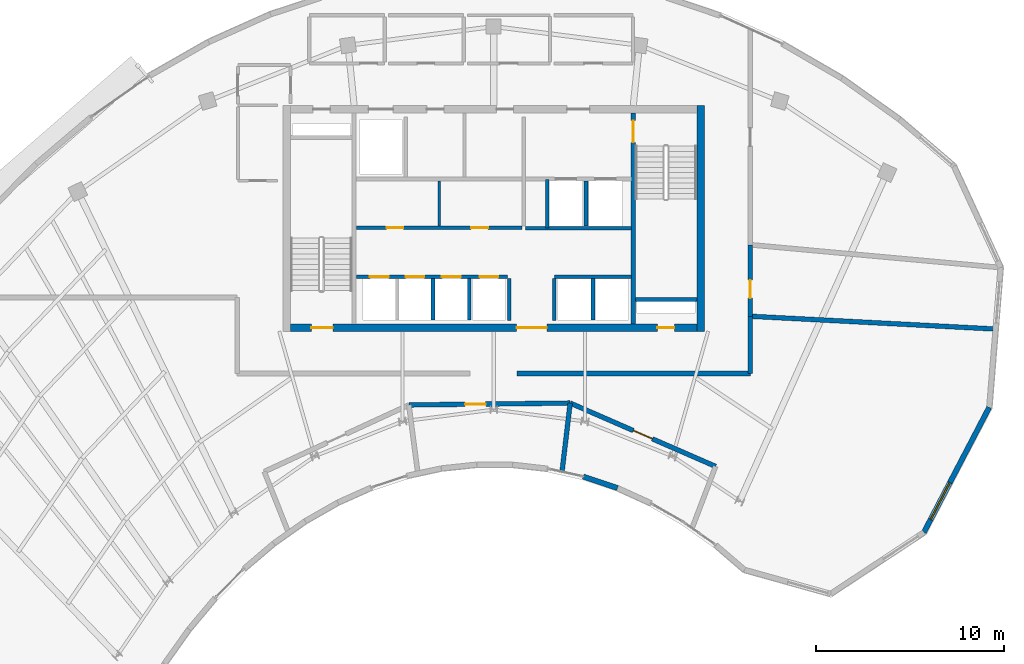
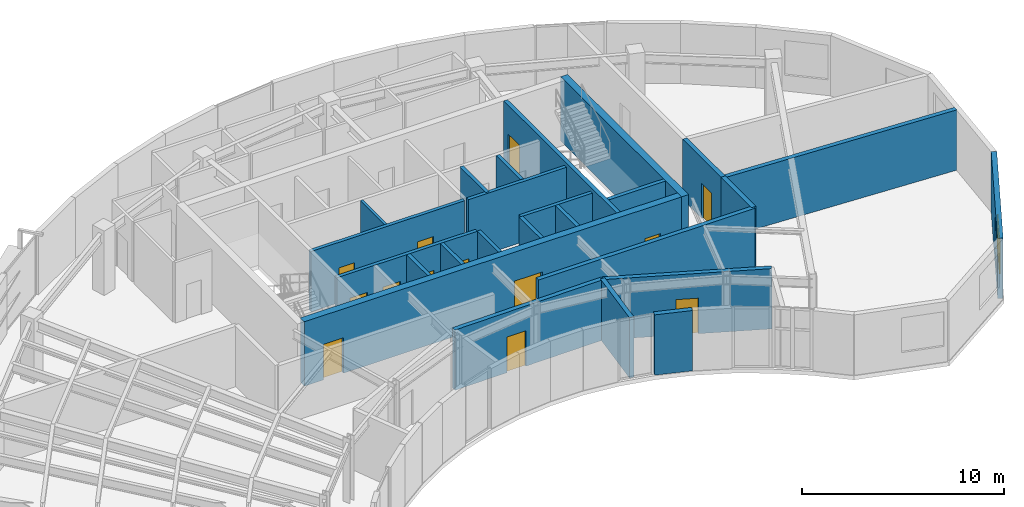
# One storey, part 9 of 12: 25 walls, 13 doors, 1 window, 14 openings.
"""IFC4 building model written with IfcOpenShell, lengths in metres."""

import ifcopenshell
import ifcopenshell.guid

model = None  # the IFC model being written
_history = None  # IfcOwnerHistory: only IFC2X3 demands one
_inside = {}  # id of a spatial element -> (the spatial element, [elements in it])
_under = {}  # id of a project, library or spatial element -> (it, [spatial elements below it])
_declared = {}  # id of a project -> (the project, [libraries it declares])
_typed = {}  # id of a type object -> (the type object, [elements of that type])
_made_of = {}  # id of a material, layer set ... -> (it, [elements and type objects made of it])


def new_model(schema):
    """Start an empty IFC model of exactly this schema.

    Asked for "IFC4X3", IfcOpenShell would pick the latest addendum, in which some entities
    have other attributes; the version numbers below select the first issue.
    IFC2X3 requires an IfcOwnerHistory on every rooted entity: one is made here for all.
    """
    global model, _history
    if schema == "IFC4X3":
        model = ifcopenshell.file(schema_version=(4, 3, 0, 0))
    else:
        model = ifcopenshell.file(schema=schema)
    _inside.clear()
    _under.clear()
    _declared.clear()
    _typed.clear()
    _made_of.clear()
    _history = None
    if model.schema == "IFC2X3":
        org = make("IfcOrganization", Name="unknown")
        user = make(
            "IfcPersonAndOrganization",
            ThePerson=make("IfcPerson", FamilyName="unknown"),
            TheOrganization=org,
        )
        app = make(
            "IfcApplication",
            ApplicationDeveloper=org,
            Version="unknown",
            ApplicationFullName="unknown",
            ApplicationIdentifier="unknown",
        )
        _history = make(
            "IfcOwnerHistory",
            OwningUser=user,
            OwningApplication=app,
            ChangeAction="ADDED",
            CreationDate=0,
        )
    return model


def make(cls, **values):
    """One entity of the class cls with the attributes given. An attribute that is None is left unset."""
    return model.create_entity(
        cls, **{name: value for name, value in values.items() if value is not None}
    )


def rooted(cls, **values):
    """An entity with a GlobalId (a new one), such as an element, a storey or a relation."""
    return make(cls, GlobalId=ifcopenshell.guid.new(), OwnerHistory=_history, **values)


def si_unit(unit_type, name, prefix=None):
    """IfcSIUnit, for example si_unit("LENGTHUNIT", "METRE", prefix="MILLI")."""
    return make("IfcSIUnit", UnitType=unit_type, Prefix=prefix, Name=name)


def assignment(units):
    """IfcUnitAssignment: the units of a project."""
    return None if units is None else make("IfcUnitAssignment", Units=units)


def point(xyz):
    """IfcCartesianPoint."""
    return None if xyz is None else make("IfcCartesianPoint", Coordinates=xyz)


def direction(xyz):
    """IfcDirection."""
    return None if xyz is None else make("IfcDirection", DirectionRatios=xyz)


def frame(location, z_axis=None, x_axis=None):
    """IfcAxis2Placement3D, a coordinate frame: its origin and axes. An axis left out is left unset."""
    return make(
        "IfcAxis2Placement3D",
        Location=point(location),
        Axis=direction(z_axis),
        RefDirection=direction(x_axis),
    )


def frame_2d(location, x_axis=None):
    """IfcAxis2Placement2D, a coordinate frame in the plane: its origin and x axis."""
    return make(
        "IfcAxis2Placement2D", Location=point(location), RefDirection=direction(x_axis)
    )


def origin():
    """The frame at (0, 0, 0) with its axes left unset."""
    return frame((0.0, 0.0, 0.0))


def place(relative_to, where):
    """IfcLocalPlacement: puts the frame where relative to a parent placement (None: the world)."""
    return make(
        "IfcLocalPlacement", PlacementRelTo=relative_to, RelativePlacement=where
    )


def context(
    kind, dimensions, precision=None, world=None, true_north=None, identifier=None
):
    """IfcGeometricRepresentationContext, for example the 3D "Model" context."""
    return make(
        "IfcGeometricRepresentationContext",
        ContextIdentifier=identifier,
        ContextType=kind,
        CoordinateSpaceDimension=dimensions,
        Precision=precision,
        WorldCoordinateSystem=world,
        TrueNorth=true_north,
    )


def subcontext(parent, identifier, kind, view, scale=None):
    """IfcGeometricRepresentationSubContext, for example "Body" below "Model"."""
    return make(
        "IfcGeometricRepresentationSubContext",
        ContextIdentifier=identifier,
        ContextType=kind,
        ParentContext=parent,
        TargetScale=scale,
        TargetView=view,
    )


def project(units=None, contexts=None):
    """IfcProject with its units and contexts."""
    return rooted(
        "IfcProject",
        Name="project",
        RepresentationContexts=contexts,
        UnitsInContext=assignment(units),
    )


def spatial(cls, under=None, at=None, **own):
    """A site, building, storey or space (cls), placed at a placement, below another one or the project."""
    s = rooted(cls, ObjectPlacement=at, **own)
    if under is not None:
        _under.setdefault(under.id(), (under, []))[1].append(s)
    return s


def profile(cls, at=None, kind="AREA", **sizes):
    """A parametric profile (cls). Its sizes go by their IFC names, for example OverallWidth=200.0."""
    return make(cls, ProfileType=kind, Position=at, **sizes)


def rectangle(**sizes):
    """IfcRectangleProfileDef."""
    return profile("IfcRectangleProfileDef", **sizes)


def extrude(swept, where, along, depth):
    """IfcExtrudedAreaSolid: the profile swept, set in the frame where, extruded along a direction by depth."""
    return make(
        "IfcExtrudedAreaSolid",
        SweptArea=swept,
        Position=where,
        ExtrudedDirection=direction(along),
        Depth=depth,
    )


def shape(context_of_items, identifier, shape_type, items):
    """IfcShapeRepresentation: the items that make up one representation, for example the "Body"."""
    return make(
        "IfcShapeRepresentation",
        ContextOfItems=context_of_items,
        RepresentationIdentifier=identifier,
        RepresentationType=shape_type,
        Items=items,
    )


def source(mapping_origin, context_of_items, identifier, shape_type, items):
    """IfcRepresentationMap: a shape defined once, which mapped items show again and again."""
    return make(
        "IfcRepresentationMap",
        MappingOrigin=mapping_origin,
        MappedRepresentation=shape(context_of_items, identifier, shape_type, items),
    )


def transform(
    local_origin,
    x_axis=None,
    y_axis=None,
    z_axis=None,
    scale=None,
    scale2=None,
    scale3=None,
    uniform=True,
):
    """IfcCartesianTransformationOperator3D, or its non-uniform kind. x_axis, y_axis, z_axis: its Axis1, 2, 3."""
    if uniform:
        return make(
            "IfcCartesianTransformationOperator3D",
            Axis1=direction(x_axis),
            Axis2=direction(y_axis),
            LocalOrigin=point(local_origin),
            Scale=scale,
            Axis3=direction(z_axis),
        )
    return make(
        "IfcCartesianTransformationOperator3DnonUniform",
        Axis1=direction(x_axis),
        Axis2=direction(y_axis),
        LocalOrigin=point(local_origin),
        Scale=scale,
        Axis3=direction(z_axis),
        Scale2=scale2,
        Scale3=scale3,
    )


def mapped(mapping_source, mapping_target):
    """IfcMappedItem: shows the shape of a source again, moved by a transform."""
    return make(
        "IfcMappedItem", MappingSource=mapping_source, MappingTarget=mapping_target
    )


def material(Name=None, Category=None):
    """IfcMaterial."""
    return make("IfcMaterial", Name=Name, Category=Category)


def layer(
    of_material, thickness, ventilated=None, Name=None, Category=None, Priority=None
):
    """IfcMaterialLayer: one layer of a wall or slab, of a material (None: an air gap)."""
    return make(
        "IfcMaterialLayer",
        Material=of_material,
        LayerThickness=thickness,
        IsVentilated=ventilated,
        Name=Name,
        Category=Category,
        Priority=Priority,
    )


def layer_set(layers, Name=None):
    """IfcMaterialLayerSet."""
    return make("IfcMaterialLayerSet", MaterialLayers=layers, LayerSetName=Name)


def made_of(thing, what):
    """Note that an element or type object is made of a material, layer set ...; save() writes the relation."""
    if what is not None:
        _made_of.setdefault(what.id(), (what, []))[1].append(thing)
    return thing


def type_object(cls, material=None, **own):
    """A type object (cls), such as IfcWallType, which elements share."""
    return made_of(rooted(cls, **own), material)


def type_shapes(of_type, sources):
    """Give a type object the sources (RepresentationMaps) that its elements show as mapped items."""
    of_type.RepresentationMaps = sources


def element(
    cls,
    number,
    at=None,
    inside=None,
    cuts=None,
    type_object=None,
    material=None,
    context=None,
    identifier="Body",
    shape_type=None,
    held_by="IfcProductDefinitionShape",
    body=None,
    shapes=None,
    **own,
):
    """One element of the class cls, such as IfcWall. Its Tag is "e" and its number.

    at: its placement. inside: the storey or other place that contains it. cuts: it is an
    opening in that element (IfcRelVoidsElement). A single representation is given by context,
    identifier, shape_type and body (its items); several are given by shapes. held_by: the class
    of the entity that holds the representations. save() writes the other relations.
    """
    e = rooted(cls, Tag="e%d" % number, ObjectPlacement=at, **own)
    if body is not None:
        shapes = [shape(context, identifier, shape_type, body)]
    if shapes is not None:
        e.Representation = make(held_by, Representations=shapes)
    if inside is not None:
        _inside.setdefault(inside.id(), (inside, []))[1].append(e)
    if cuts is not None:
        rooted(
            "IfcRelVoidsElement", RelatingBuildingElement=cuts, RelatedOpeningElement=e
        )
    if type_object is not None:
        _typed.setdefault(type_object.id(), (type_object, []))[1].append(e)
    return made_of(e, material)


def fill(opening, filler):
    """IfcRelFillsElement: the door or window that sits in an opening."""
    return rooted(
        "IfcRelFillsElement",
        RelatingOpeningElement=opening,
        RelatedBuildingElement=filler,
    )


def aggregate(whole, parts):
    """IfcRelAggregates: a whole, such as a stair, and the parts it consists of."""
    return rooted("IfcRelAggregates", RelatingObject=whole, RelatedObjects=parts)


def save(model, path):
    """Write the relations noted so far, then the file.

    IfcRelAggregates (storeys below a building ...), IfcRelContainedInSpatialStructure (elements
    in a storey), IfcRelDefinesByType, IfcRelAssociatesMaterial and IfcRelDeclares: one each for
    every whole, place, type object, material and project.
    """
    for whole, parts in _under.values():
        aggregate(whole, parts)
    for where, things in _inside.values():
        rooted(
            "IfcRelContainedInSpatialStructure",
            RelatedElements=things,
            RelatingStructure=where,
        )
    for kind, things in _typed.values():
        rooted("IfcRelDefinesByType", RelatedObjects=things, RelatingType=kind)
    for what, things in _made_of.values():
        rooted("IfcRelAssociatesMaterial", RelatedObjects=things, RelatingMaterial=what)
    for by, libraries in _declared.values():
        rooted("IfcRelDeclares", RelatingContext=by, RelatedDefinitions=libraries)
    model.write(path)


model = new_model("IFC4")

# Units and contexts
model_context = context("Model", 3, precision=1e-05, world=origin(), true_north=direction((0.0, 1.0)))
body_context = subcontext(model_context, "Body", "Model", "MODEL_VIEW")
ifc_project = project(units=[si_unit("LENGTHUNIT", "METRE"), si_unit("AREAUNIT", "SQUARE_METRE"), si_unit("VOLUMEUNIT", "CUBIC_METRE"), si_unit("PLANEANGLEUNIT", "RADIAN"), si_unit("MASSUNIT", "GRAM", prefix="KILO")], contexts=[model_context])

# Site, building, storey
site_placement = place(None, origin())
site = spatial("IfcSite", under=ifc_project, at=site_placement, CompositionType="ELEMENT")
building_placement = place(site_placement, origin())
building = spatial("IfcBuilding", under=site, at=building_placement, Name="Breltana Convention Tower", CompositionType="ELEMENT")
storey_placement = place(building_placement, frame((0.0, 0.0, 264.0)))
storey = spatial("IfcBuildingStorey", under=building, at=storey_placement, Name="L64", CompositionType="ELEMENT", Elevation=264.0)

# Walls
ifc_material_1 = material(Name="Concrete C50/60", Category="concrete")
ifc_layer_1 = layer(ifc_material_1, 0.39990234375, Name="Concrete C50/60")
ifc_layer_set_1 = layer_set([ifc_layer_1], Name="Concrete C50/60")
wall_type_1 = type_object("IfcWallType", Name="SW-CORE-400", PredefinedType="SHEAR", material=ifc_layer_set_1)
shared_shape_1 = source(origin(), body_context, "Body", "SweptSolid", [
    extrude(rectangle(XDim=3.27001953125, YDim=0.219970703125, at=frame_2d((1.635009765625, 0.0))), origin(), (0.0, 0.0, 1.0), 3.89990234375),
])
wall_1_placement = place(storey_placement, frame((55.530029296875, 61.889892578125, 0.0), z_axis=(0.0, 0.0, 1.0), x_axis=(1.0, 0.0, 0.0)))
element("IfcWall", 1, at=wall_1_placement, inside=storey, type_object=wall_type_1, Name="L64 ST-2 Stairwell South Bearing Wall", PredefinedType="SHEAR", context=body_context, shape_type="MappedRepresentation", body=[
    mapped(shared_shape_1, transform((0.0, 0.0, 0.0), scale=1.0)),
])
shared_shape_2 = source(origin(), body_context, "Body", "SweptSolid", [
    extrude(rectangle(XDim=12.0, YDim=0.39990234375, at=frame_2d((6.0, 0.0))), origin(), (0.0, 0.0, 1.0), 3.89990234375),
])
wall_2_placement = place(storey_placement, frame((59.0, 60.199951171875, 0.0), z_axis=(0.0, 0.0, 1.0), x_axis=(0.0, 1.0, 0.0)))
element("IfcWall", 2, at=wall_2_placement, inside=storey, type_object=wall_type_1, Name="L64 East Core Shear Wall", PredefinedType="SHEAR", context=body_context, shape_type="MappedRepresentation", body=[
    mapped(shared_shape_2, transform((0.0, 0.0, 0.0), scale=1.0)),
])

# Wall, openings, doors
shared_shape_3 = source(origin(), body_context, "Body", "SweptSolid", [
    extrude(rectangle(XDim=21.60009765625, YDim=0.39990234375, at=frame_2d((10.800048828125, 0.0))), origin(), (0.0, 0.0, 1.0), 3.89990234375),
])
wall_3_placement = place(storey_placement, frame((37.199951171875, 60.39990234375, 0.0), z_axis=(0.0, 0.0, 1.0), x_axis=(1.0, 0.0, 0.0)))
wall_3 = element("IfcWall", 3, at=wall_3_placement, inside=storey, type_object=wall_type_1, Name="L64 South Core Shear Wall", PredefinedType="SHEAR", context=body_context, shape_type="MappedRepresentation", body=[
    mapped(shared_shape_3, transform((0.0, 0.0, 0.0), scale=1.0)),
])
opening_1_placement = place(wall_3_placement, frame((1.10009765625, 0.0, 0.0)))
opening_1 = element("IfcOpeningElement", 4, at=opening_1_placement, cuts=wall_3, Name="Opening D-11", PredefinedType="OPENING", context=body_context, shape_type="SweptSolid", body=[
    extrude(rectangle(XDim=1.14990234375, YDim=2.14990234375, at=frame_2d((0.574951171875, 1.074951171875))), frame((0.0, 0.2099609375, 0.0), z_axis=(0.0, -1.0, 0.0), x_axis=(1.0, 0.0, 0.0)), (0.0, 0.0, 1.0), 0.419921875),
])
opening_2_placement = place(wall_3_placement, frame((19.5, 0.0, 0.0)))
opening_2 = element("IfcOpeningElement", 5, at=opening_2_placement, cuts=wall_3, Name="Opening D-18", PredefinedType="OPENING", context=body_context, shape_type="SweptSolid", body=[
    extrude(rectangle(XDim=0.89990234375, YDim=2.10009765625, at=frame_2d((0.449951171875, 1.050048828125))), frame((0.0, 0.2099609375, 0.0), z_axis=(0.0, -1.0, 0.0), x_axis=(1.0, 0.0, 0.0)), (0.0, 0.0, 1.0), 0.419921875),
])
opening_3_placement = place(wall_3_placement, frame((12.02001953125, 0.0, 0.0)))
opening_3 = element("IfcOpeningElement", 6, at=opening_3_placement, cuts=wall_3, Name="Opening D-02", PredefinedType="OPENING", context=body_context, shape_type="SweptSolid", body=[
    extrude(rectangle(XDim=1.60009765625, YDim=2.14990234375, at=frame_2d((0.800048828125, 1.074951171875))), frame((0.0, 0.2099609375, 0.0), z_axis=(0.0, -1.0, 0.0), x_axis=(1.0, 0.0, 0.0)), (0.0, 0.0, 1.0), 0.419921875),
])
ifc_material_2 = material(Name="Steel Stair Exit Door", Category="steel")
door_type_1 = type_object("IfcDoorType", Name="DR-FD120-1150", OperationType="NOTDEFINED", PredefinedType="DOOR", material=ifc_material_2)
shared_shape_4 = source(origin(), body_context, "Body", "SweptSolid", [
    extrude(rectangle(XDim=1.14990234375, YDim=2.14990234375, at=frame_2d((0.574951171875, 1.074951171875))), frame((0.0, 0.02490234375, 0.0), z_axis=(0.0, -1.0, 0.0), x_axis=(1.0, 0.0, 0.0)), (0.0, 0.0, 1.0), 0.050048828125),
])
type_shapes(door_type_1, [shared_shape_4])
door_1_placement = place(opening_1_placement, origin())
door_1 = element("IfcDoor", 7, at=door_1_placement, inside=storey, type_object=door_type_1, Name="L64 interior door D-L64-ST1", OperationType="SINGLE_SWING_LEFT", OverallHeight=2.14990234375, OverallWidth=1.14990234375, PredefinedType="DOOR", context=body_context, shape_type="MappedRepresentation", body=[
    mapped(shared_shape_4, transform((0.0, 0.0, 0.0), scale=1.0)),
])
fill(opening_1, door_1)
ifc_material_3 = material(Name="Steel Riser Fire Door", Category="steel")
door_type_2 = type_object("IfcDoorType", Name="DR-FD60-900", OperationType="NOTDEFINED", PredefinedType="DOOR", material=ifc_material_3)
shared_shape_5 = source(origin(), body_context, "Body", "SweptSolid", [
    extrude(rectangle(XDim=0.89990234375, YDim=2.10009765625, at=frame_2d((0.449951171875, 1.050048828125))), frame((0.0, 0.02490234375, 0.0), z_axis=(0.0, -1.0, 0.0), x_axis=(1.0, 0.0, 0.0)), (0.0, 0.0, 1.0), 0.050048828125),
])
type_shapes(door_type_2, [shared_shape_5])
door_2_placement = place(opening_2_placement, origin())
door_2 = element("IfcDoor", 8, at=door_2_placement, inside=storey, type_object=door_type_2, Name="L64 Core Riser Access Door D-L64-RS2", OperationType="SINGLE_SWING_RIGHT", OverallHeight=2.10009765625, OverallWidth=0.89990234375, PredefinedType="DOOR", context=body_context, shape_type="MappedRepresentation", body=[
    mapped(shared_shape_5, transform((0.0, 0.0, 0.0), scale=1.0)),
])
fill(opening_2, door_2)
ifc_material_4 = material(Name="Steel Glazed Smoke-Control Door", Category="steel")
door_type_3 = type_object("IfcDoorType", Name="DR-DBL-FD90-1600", OperationType="DOUBLE_DOOR_SINGLE_SWING", PredefinedType="DOOR", material=ifc_material_4)
shared_shape_6 = source(origin(), body_context, "Body", "SweptSolid", [
    extrude(rectangle(XDim=1.60009765625, YDim=2.14990234375, at=frame_2d((0.800048828125, 1.074951171875))), frame((0.0, 0.02490234375, 0.0), z_axis=(0.0, -1.0, 0.0), x_axis=(1.0, 0.0, 0.0)), (0.0, 0.0, 1.0), 0.050048828125),
])
type_shapes(door_type_3, [shared_shape_6])
door_3_placement = place(opening_3_placement, origin())
door_3 = element("IfcDoor", 9, at=door_3_placement, inside=storey, type_object=door_type_3, Name="L64 interior door D-L64-LLB-S", OperationType="DOUBLE_DOOR_SINGLE_SWING", OverallHeight=2.14990234375, OverallWidth=1.60009765625, PredefinedType="DOOR", context=body_context, shape_type="MappedRepresentation", body=[
    mapped(shared_shape_6, transform((0.0, 0.0, 0.0), scale=1.0)),
])
fill(opening_3, door_3)

# Wall, opening, door
shared_shape_7 = source(origin(), body_context, "Body", "SweptSolid", [
    extrude(rectangle(XDim=11.199951171875, YDim=0.219970703125, at=frame_2d((5.60009765625, 0.0))), origin(), (0.0, 0.0, 1.0), 3.89990234375),
])
wall_4_placement = place(storey_placement, frame((55.419921875, 60.60009765625, 0.0), z_axis=(0.0, 0.0, 1.0), x_axis=(0.0, 1.0, 0.0)))
wall_4 = element("IfcWall", 10, at=wall_4_placement, inside=storey, type_object=wall_type_1, Name="L64 Core East Stair Spine Wall", PredefinedType="SHEAR", context=body_context, shape_type="MappedRepresentation", body=[
    mapped(shared_shape_7, transform((0.0, 0.0, 0.0), scale=1.0)),
])
opening_4_placement = place(wall_4_placement, frame((9.64501953125, 0.0, 0.0)))
opening_4 = element("IfcOpeningElement", 11, at=opening_4_placement, cuts=wall_4, Name="Opening D-11", PredefinedType="OPENING", context=body_context, shape_type="SweptSolid", body=[
    extrude(rectangle(XDim=1.14990234375, YDim=2.14990234375, at=frame_2d((0.574951171875, 1.074951171875))), frame((0.0, 0.1201171875, 0.0), z_axis=(0.0, -1.0, 0.0), x_axis=(1.0, 0.0, 0.0)), (0.0, 0.0, 1.0), 0.239990234375),
])
door_4_placement = place(opening_4_placement, origin())
door_4 = element("IfcDoor", 12, at=door_4_placement, inside=storey, type_object=door_type_1, Name="L64 interior door D-L64-ST2", OperationType="SINGLE_SWING_LEFT", OverallHeight=2.14990234375, OverallWidth=1.14990234375, PredefinedType="DOOR", context=body_context, shape_type="MappedRepresentation", body=[
    mapped(shared_shape_4, transform((0.0, 0.0, 0.0), scale=1.0)),
])
fill(opening_4, door_4)

# Wall, opening, window
ifc_material_5 = material(Name="Limestone Buff Insulated Wall", Category="masonry")
ifc_layer_2 = layer(ifc_material_5, 0.280029296875, Name="Limestone Buff Insulated Wall")
ifc_layer_set_2 = layer_set([ifc_layer_2], Name="Limestone Buff Insulated Wall")
wall_type_2 = type_object("IfcWallType", Name="WL-EXT-NOSE-280", PredefinedType="SOLIDWALL", material=ifc_layer_set_2)
shared_shape_8 = source(origin(), body_context, "Body", "SweptSolid", [
    extrude(rectangle(XDim=7.494873046875, YDim=0.280029296875, at=frame_2d((3.74755859375, 0.0))), origin(), (0.0, 0.0, 1.0), 3.64990234375),
])
wall_5_placement = place(storey_placement, frame((74.342529296875, 56.156005859375, 0.0), z_axis=(0.0, 0.0, 1.0), x_axis=(-0.463116979657, -0.886297164135, 0.0)))
wall_5 = element("IfcWall", 13, at=wall_5_placement, inside=storey, type_object=wall_type_2, Name="L64 curved limestone nose wall E3", PredefinedType="SOLIDWALL", context=body_context, shape_type="MappedRepresentation", body=[
    mapped(shared_shape_8, transform((0.0, 0.0, 0.0), scale=1.0)),
])
opening_5_placement = place(wall_5_placement, frame((4.52099609375, 0.0, 0.949951171875)))
opening_5 = element("IfcOpeningElement", 14, at=opening_5_placement, cuts=wall_5, Name="Opening W-03", PredefinedType="OPENING", context=body_context, shape_type="SweptSolid", body=[
    extrude(rectangle(XDim=2.199951171875, YDim=2.10009765625, at=frame_2d((1.10009765625, 1.050048828125))), frame((0.0, 0.14990234375, 0.0), z_axis=(0.0, -1.0, 0.0), x_axis=(1.0, 0.0, 0.0)), (0.0, 0.0, 1.0), 0.300048828125),
])
ifc_material_6 = material(Name="Glass Low-E Insulated Window", Category="glass")
window_type = type_object("IfcWindowType", Name="WN-NOSE-2200X2100", PartitioningType="TRIPLE_PANEL_VERTICAL", PredefinedType="WINDOW", material=ifc_material_6)
shared_shape_9 = source(origin(), body_context, "Body", "SweptSolid", [
    extrude(rectangle(XDim=2.199951171875, YDim=2.10009765625, at=frame_2d((1.10009765625, 1.050048828125))), frame((0.0, 0.030029296875, 0.0), z_axis=(0.0, -1.0, 0.0), x_axis=(1.0, 0.0, 0.0)), (0.0, 0.0, 1.0), 0.06005859375),
])
type_shapes(window_type, [shared_shape_9])
window_placement = place(opening_5_placement, origin())
window = element("IfcWindow", 15, at=window_placement, inside=storey, type_object=window_type, Name="L64 nose window E3", OverallHeight=2.10009765625, OverallWidth=2.199951171875, PartitioningType="TRIPLE_PANEL_VERTICAL", PredefinedType="WINDOW", context=body_context, shape_type="MappedRepresentation", body=[
    mapped(shared_shape_9, transform((0.0, 0.0, 0.0), scale=1.0)),
])
fill(opening_5, window)

# Walls
shared_shape_10 = source(origin(), body_context, "Body", "SweptSolid", [
    extrude(rectangle(XDim=1.917724609375, YDim=0.280029296875, at=frame_2d((0.958984375, 0.0))), origin(), (0.0, 0.0, 1.0), 3.64990234375),
])
wall_6_placement = place(storey_placement, frame((54.579345703125, 51.865234375, 0.0), z_axis=(0.0, 0.0, 1.0), x_axis=(-0.947916697588, 0.318518342381, 0.0)))
element("IfcWall", 16, at=wall_6_placement, inside=storey, type_object=wall_type_2, Name="L64 curved limestone nose wall E8", PredefinedType="SOLIDWALL", context=body_context, shape_type="MappedRepresentation", body=[
    mapped(shared_shape_10, transform((0.0, 0.0, 0.0), scale=1.0)),
])
ifc_material_7 = material(Name="Autoclaved Aerated Concrete Block", Category="concrete")
ifc_layer_3 = layer(ifc_material_7, 0.199951171875, Name="Autoclaved Aerated Concrete Block")
ifc_layer_set_3 = layer_set([ifc_layer_3], Name="Autoclaved Aerated Concrete Block")
wall_type_3 = type_object("IfcWallType", Name="WL-SHAFT-200", PredefinedType="SOLIDWALL", material=ifc_layer_set_3)
shared_shape_11 = source(origin(), body_context, "Body", "SweptSolid", [
    extrude(rectangle(XDim=2.239990234375, YDim=0.199951171875, at=frame_2d((1.1201171875, 0.0))), origin(), (0.0, 0.0, 1.0), 3.64990234375),
])
for number, where, z_axis, x_axis, name in (
    (17, (48.820068359375, 60.780029296875, 0.0), (0.0, 0.0, 1.0), (0.0, 1.0, 0.0), "L64 interior partition W-L64-PORT-W"),
    (18, (51.219970703125, 60.780029296875, 0.0), (0.0, 0.0, 1.0), (0.0, 1.0, 0.0), "L64 interior partition W-L64-PORT-E"),
):
    element("IfcWall", number, at=place(storey_placement, frame(where, z_axis=z_axis, x_axis=x_axis)), inside=storey, type_object=wall_type_3, Name=name, PredefinedType="SOLIDWALL", context=body_context, shape_type="MappedRepresentation", body=[
        mapped(shared_shape_11, transform((0.0, 0.0, 0.0), scale=1.0)),
    ])
shared_shape_12 = source(origin(), body_context, "Body", "SweptSolid", [
    extrude(rectangle(XDim=5.6201171875, YDim=0.199951171875, at=frame_2d((2.81005859375, 0.0))), origin(), (0.0, 0.0, 1.0), 3.64990234375),
])
wall_7_placement = place(storey_placement, frame((49.699951171875, 65.679931640625, 0.0), z_axis=(0.0, 0.0, 1.0), x_axis=(1.0, 0.0, 0.0)))
element("IfcWall", 19, at=wall_7_placement, inside=storey, type_object=wall_type_3, Name="L64 interior partition W-L64-FL-S", PredefinedType="SOLIDWALL", context=body_context, shape_type="MappedRepresentation", body=[
    mapped(shared_shape_12, transform((0.0, 0.0, 0.0), scale=1.0)),
])
shared_shape_13 = source(origin(), body_context, "Body", "SweptSolid", [
    extrude(rectangle(XDim=2.580078125, YDim=0.199951171875, at=frame_2d((1.2900390625, 0.0))), origin(), (0.0, 0.0, 1.0), 3.64990234375),
])
wall_8_placement = place(storey_placement, frame((50.85009765625, 65.679931640625, 0.0), z_axis=(0.0, 0.0, 1.0), x_axis=(0.0, 1.0, 0.0)))
element("IfcWall", 20, at=wall_8_placement, inside=storey, type_object=wall_type_3, Name="L64 interior partition W-L64-FL-W", PredefinedType="SOLIDWALL", context=body_context, shape_type="MappedRepresentation", body=[
    mapped(shared_shape_13, transform((0.0, 0.0, 0.0), scale=1.0)),
])
shared_shape_14 = source(origin(), body_context, "Body", "SweptSolid", [
    extrude(rectangle(XDim=2.39990234375, YDim=0.199951171875, at=frame_2d((1.199951171875, 0.0))), origin(), (0.0, 0.0, 1.0), 3.64990234375),
])
wall_9_placement = place(storey_placement, frame((52.89990234375, 65.800048828125, 0.0), z_axis=(0.0, 0.0, 1.0), x_axis=(0.0, 1.0, 0.0)))
element("IfcWall", 21, at=wall_9_placement, inside=storey, type_object=wall_type_3, Name="L64 interior partition W-L64-FL-DIV", PredefinedType="SOLIDWALL", context=body_context, shape_type="MappedRepresentation", body=[
    mapped(shared_shape_14, transform((0.0, 0.0, 0.0), scale=1.0)),
])

# Wall, openings, doors
shared_shape_15 = source(origin(), body_context, "Body", "SweptSolid", [
    extrude(rectangle(XDim=8.800048828125, YDim=0.199951171875, at=frame_2d((4.39990234375, 0.0))), origin(), (0.0, 0.0, 1.0), 3.64990234375),
])
wall_10_placement = place(storey_placement, frame((40.699951171875, 65.699951171875, 0.0), z_axis=(0.0, 0.0, 1.0), x_axis=(1.0, 0.0, 0.0)))
wall_10 = element("IfcWall", 22, at=wall_10_placement, inside=storey, type_object=wall_type_3, Name="L64 interior partition W-L64-SH-M-FRONT", PredefinedType="SOLIDWALL", context=body_context, shape_type="MappedRepresentation", body=[
    mapped(shared_shape_15, transform((0.0, 0.0, 0.0), scale=1.0)),
])
opening_6_placement = place(wall_10_placement, frame((1.60009765625, 0.0, 0.0)))
opening_6 = element("IfcOpeningElement", 23, at=opening_6_placement, cuts=wall_10, Name="Opening D-18", PredefinedType="OPENING", context=body_context, shape_type="SweptSolid", body=[
    extrude(rectangle(XDim=0.89990234375, YDim=2.10009765625, at=frame_2d((0.449951171875, 1.050048828125))), frame((0.0, 0.10986328125, 0.0), z_axis=(0.0, -1.0, 0.0), x_axis=(1.0, 0.0, 0.0)), (0.0, 0.0, 1.0), 0.219970703125),
])
opening_7_placement = place(wall_10_placement, frame((6.10009765625, 0.0, 0.0)))
opening_7 = element("IfcOpeningElement", 24, at=opening_7_placement, cuts=wall_10, Name="Opening D-18", PredefinedType="OPENING", context=body_context, shape_type="SweptSolid", body=[
    extrude(rectangle(XDim=0.89990234375, YDim=2.10009765625, at=frame_2d((0.449951171875, 1.050048828125))), frame((0.0, 0.10986328125, 0.0), z_axis=(0.0, -1.0, 0.0), x_axis=(1.0, 0.0, 0.0)), (0.0, 0.0, 1.0), 0.219970703125),
])
door_5_placement = place(opening_6_placement, origin())
door_5 = element("IfcDoor", 25, at=door_5_placement, inside=storey, type_object=door_type_2, Name="L64 interior door D-L64-LV7-B2A", OperationType="SINGLE_SWING_RIGHT", OverallHeight=2.10009765625, OverallWidth=0.89990234375, PredefinedType="DOOR", context=body_context, shape_type="MappedRepresentation", body=[
    mapped(shared_shape_5, transform((0.0, 0.0, 0.0), scale=1.0)),
])
fill(opening_6, door_5)
door_6_placement = place(opening_7_placement, origin())
door_6 = element("IfcDoor", 26, at=door_6_placement, inside=storey, type_object=door_type_2, Name="L64 interior door D-L64-LV7-B2B", OperationType="SINGLE_SWING_LEFT", OverallHeight=2.10009765625, OverallWidth=0.89990234375, PredefinedType="DOOR", context=body_context, shape_type="MappedRepresentation", body=[
    mapped(shared_shape_5, transform((0.0, 0.0, 0.0), scale=1.0)),
])
fill(opening_7, door_6)

shared_shape_16 = source(origin(), body_context, "Body", "SweptSolid", [
    extrude(rectangle(XDim=8.02001953125, YDim=0.199951171875, at=frame_2d((4.010009765625, 0.0))), origin(), (0.0, 0.0, 1.0), 3.64990234375),
])
wall_11_placement = place(storey_placement, frame((40.699951171875, 63.10009765625, 0.0), z_axis=(0.0, 0.0, 1.0), x_axis=(1.0, 0.0, 0.0)))
wall_11 = element("IfcWall", 27, at=wall_11_placement, inside=storey, type_object=wall_type_3, Name="L64 interior partition W-L64-SH-S-FRONT", PredefinedType="SOLIDWALL", context=body_context, shape_type="MappedRepresentation", body=[
    mapped(shared_shape_16, transform((0.0, 0.0, 0.0), scale=1.0)),
])
opening_8_placement = place(wall_11_placement, frame((0.719970703125, 0.0, 0.0)))
opening_8 = element("IfcOpeningElement", 28, at=opening_8_placement, cuts=wall_11, Name="Opening LD-04", PredefinedType="OPENING", context=body_context, shape_type="SweptSolid", body=[
    extrude(rectangle(XDim=1.0, YDim=2.14990234375, at=frame_2d((0.5, 1.074951171875))), frame((0.0, 0.10986328125, 0.0), z_axis=(0.0, -1.0, 0.0), x_axis=(1.0, 0.0, 0.0)), (0.0, 0.0, 1.0), 0.219970703125),
])
opening_9_placement = place(wall_11_placement, frame((2.6201171875, 0.0, 0.0)))
opening_9 = element("IfcOpeningElement", 29, at=opening_9_placement, cuts=wall_11, Name="Opening LD-04", PredefinedType="OPENING", context=body_context, shape_type="SweptSolid", body=[
    extrude(rectangle(XDim=1.0, YDim=2.14990234375, at=frame_2d((0.5, 1.074951171875))), frame((0.0, 0.10986328125, 0.0), z_axis=(0.0, -1.0, 0.0), x_axis=(1.0, 0.0, 0.0)), (0.0, 0.0, 1.0), 0.219970703125),
])
opening_10_placement = place(wall_11_placement, frame((4.550048828125, 0.0, 0.0)))
opening_10 = element("IfcOpeningElement", 30, at=opening_10_placement, cuts=wall_11, Name="Opening LD-04", PredefinedType="OPENING", context=body_context, shape_type="SweptSolid", body=[
    extrude(rectangle(XDim=1.0, YDim=2.14990234375, at=frame_2d((0.5, 1.074951171875))), frame((0.0, 0.10986328125, 0.0), z_axis=(0.0, -1.0, 0.0), x_axis=(1.0, 0.0, 0.0)), (0.0, 0.0, 1.0), 0.219970703125),
])
opening_11_placement = place(wall_11_placement, frame((6.550048828125, 0.0, 0.0)))
opening_11 = element("IfcOpeningElement", 31, at=opening_11_placement, cuts=wall_11, Name="Opening LD-04", PredefinedType="OPENING", context=body_context, shape_type="SweptSolid", body=[
    extrude(rectangle(XDim=1.0, YDim=2.14990234375, at=frame_2d((0.5, 1.074951171875))), frame((0.0, 0.10986328125, 0.0), z_axis=(0.0, -1.0, 0.0), x_axis=(1.0, 0.0, 0.0)), (0.0, 0.0, 1.0), 0.219970703125),
])
ifc_material_8 = material(Name="Stainless Steel Brushed", Category="steel")
door_type_4 = type_object("IfcDoorType", Name="DR-LD-PAX-1000", OperationType="DOUBLE_DOOR_SLIDING", PredefinedType="DOOR", material=ifc_material_8)
shared_shape_17 = source(origin(), body_context, "Body", "SweptSolid", [
    extrude(rectangle(XDim=1.0, YDim=2.14990234375, at=frame_2d((0.5, 1.074951171875))), frame((0.0, 0.02490234375, 0.0), z_axis=(0.0, -1.0, 0.0), x_axis=(1.0, 0.0, 0.0)), (0.0, 0.0, 1.0), 0.050048828125),
])
type_shapes(door_type_4, [shared_shape_17])
door_7_placement = place(opening_8_placement, origin())
door_7 = element("IfcDoor", 32, at=door_7_placement, inside=storey, type_object=door_type_4, Name="L64 Lift Landing Door D-L64-LD-S1", OperationType="DOUBLE_DOOR_SLIDING", OverallHeight=2.14990234375, OverallWidth=1.0, PredefinedType="DOOR", context=body_context, shape_type="MappedRepresentation", body=[
    mapped(shared_shape_17, transform((0.0, 0.0, 0.0), scale=1.0)),
])
fill(opening_8, door_7)
door_8_placement = place(opening_9_placement, origin())
door_8 = element("IfcDoor", 33, at=door_8_placement, inside=storey, type_object=door_type_4, Name="L64 Lift Landing Door D-L64-LD-S2", OperationType="DOUBLE_DOOR_SLIDING", OverallHeight=2.14990234375, OverallWidth=1.0, PredefinedType="DOOR", context=body_context, shape_type="MappedRepresentation", body=[
    mapped(shared_shape_17, transform((0.0, 0.0, 0.0), scale=1.0)),
])
fill(opening_9, door_8)
door_9_placement = place(opening_10_placement, origin())
door_9 = element("IfcDoor", 34, at=door_9_placement, inside=storey, type_object=door_type_4, Name="L64 Lift Landing Door D-L64-LD-S3", OperationType="DOUBLE_DOOR_SLIDING", OverallHeight=2.14990234375, OverallWidth=1.0, PredefinedType="DOOR", context=body_context, shape_type="MappedRepresentation", body=[
    mapped(shared_shape_17, transform((0.0, 0.0, 0.0), scale=1.0)),
])
fill(opening_10, door_9)
door_10_placement = place(opening_11_placement, origin())
door_10 = element("IfcDoor", 35, at=door_10_placement, inside=storey, type_object=door_type_4, Name="L64 Lift Landing Door D-L64-LD-S4", OperationType="DOUBLE_DOOR_SLIDING", OverallHeight=2.14990234375, OverallWidth=1.0, PredefinedType="DOOR", context=body_context, shape_type="MappedRepresentation", body=[
    mapped(shared_shape_17, transform((0.0, 0.0, 0.0), scale=1.0)),
])
fill(opening_11, door_10)

# Walls
shared_shape_18 = source(origin(), body_context, "Body", "SweptSolid", [
    extrude(rectangle(XDim=4.10009765625, YDim=0.199951171875, at=frame_2d((2.050048828125, 0.0))), origin(), (0.0, 0.0, 1.0), 3.64990234375),
])
wall_12_placement = place(storey_placement, frame((51.219970703125, 63.10009765625, 0.0), z_axis=(0.0, 0.0, 1.0), x_axis=(1.0, 0.0, 0.0)))
element("IfcWall", 36, at=wall_12_placement, inside=storey, type_object=wall_type_3, Name="L64 interior partition W-L64-SH-X-FRONT", PredefinedType="SOLIDWALL", context=body_context, shape_type="MappedRepresentation", body=[
    mapped(shared_shape_18, transform((0.0, 0.0, 0.0), scale=1.0)),
])
shared_shape_19 = source(origin(), body_context, "Body", "SweptSolid", [
    extrude(rectangle(XDim=2.199951171875, YDim=0.199951171875, at=frame_2d((1.10009765625, 0.0))), origin(), (0.0, 0.0, 1.0), 3.64990234375),
])
for number, where, z_axis, x_axis, name in (
    (37, (44.77001953125, 60.800048828125, 0.0), (0.0, 0.0, 1.0), (0.0, 1.0, 0.0), "L64 interior partition W-L64-SH-S-DIV2"),
    (38, (46.699951171875, 60.800048828125, 0.0), (0.0, 0.0, 1.0), (0.0, 1.0, 0.0), "L64 interior partition W-L64-SH-S-DIV3"),
    (39, (53.280029296875, 60.800048828125, 0.0), (0.0, 0.0, 1.0), (0.0, 1.0, 0.0), "L64 interior partition W-L64-SH-X-DIV"),
):
    element("IfcWall", number, at=place(storey_placement, frame(where, z_axis=z_axis, x_axis=x_axis)), inside=storey, type_object=wall_type_3, Name=name, PredefinedType="SOLIDWALL", context=body_context, shape_type="MappedRepresentation", body=[
        mapped(shared_shape_19, transform((0.0, 0.0, 0.0), scale=1.0)),
    ])
ifc_material_9 = material(Name="Gypsum Acoustic Drywall Partition")
ifc_layer_4 = layer(ifc_material_9, 0.14990234375, Name="Gypsum Acoustic Drywall Partition")
ifc_layer_set_4 = layer_set([ifc_layer_4], Name="Gypsum Acoustic Drywall Partition")
wall_type_4 = type_object("IfcWallType", Name="WL-PART-150", PredefinedType="PARTITIONING", material=ifc_layer_set_4)
shared_shape_20 = source(origin(), body_context, "Body", "SweptSolid", [
    extrude(rectangle(XDim=2.39990234375, YDim=0.14990234375, at=frame_2d((1.199951171875, 0.0))), origin(), (0.0, 0.0, 1.0), 3.64990234375),
])
wall_13_placement = place(storey_placement, frame((45.10009765625, 65.800048828125, 0.0), z_axis=(0.0, 0.0, 1.0), x_axis=(0.0, 1.0, 0.0)))
element("IfcWall", 40, at=wall_13_placement, inside=storey, type_object=wall_type_4, Name="L64 interior partition W-L64-LV7-B2-DIV", PredefinedType="PARTITIONING", context=body_context, shape_type="MappedRepresentation", body=[
    mapped(shared_shape_20, transform((0.0, 0.0, 0.0), scale=1.0)),
])

# Wall, opening, door
ifc_material_10 = material(Name="Gypsum Acoustic Double Stud Wall")
ifc_layer_5 = layer(ifc_material_10, 0.25, Name="Gypsum Acoustic Double Stud Wall")
ifc_layer_set_5 = layer_set([ifc_layer_5], Name="Gypsum Acoustic Double Stud Wall")
wall_type_5 = type_object("IfcWallType", Name="WL-ACOUSTIC-250", PredefinedType="PARTITIONING", material=ifc_layer_set_5)
shared_shape_21 = source(origin(), body_context, "Body", "SweptSolid", [
    extrude(rectangle(XDim=8.576171875, YDim=0.25, at=frame_2d((4.2880859375, 0.0))), origin(), (0.0, 0.0, 1.0), 3.64990234375),
])
wall_14_placement = place(storey_placement, frame((43.488525390625, 56.2841796875, 0.0), z_axis=(0.0, 0.0, 1.0), x_axis=(0.999931553434, 0.011699933624, 0.0)))
wall_14 = element("IfcWall", 41, at=wall_14_placement, inside=storey, type_object=wall_type_5, Name="L64 interior partition W-L64-ES2-COR", PredefinedType="PARTITIONING", context=body_context, shape_type="MappedRepresentation", body=[
    mapped(shared_shape_21, transform((0.0, 0.0, 0.0), scale=1.0)),
])
opening_12_placement = place(wall_14_placement, frame((2.988037109375, 0.0, 0.0)))
opening_12 = element("IfcOpeningElement", 42, at=opening_12_placement, cuts=wall_14, Name="Opening D-12", PredefinedType="OPENING", context=body_context, shape_type="SweptSolid", body=[
    extrude(rectangle(XDim=1.10009765625, YDim=2.14990234375, at=frame_2d((0.550048828125, 1.074951171875))), frame((0.0, 0.135009765625, 0.0), z_axis=(0.0, -1.0, 0.0), x_axis=(1.0, 0.0, 0.0)), (0.0, 0.0, 1.0), 0.27001953125),
])
ifc_material_11 = material(Name="Timber Oak Acoustic Door", Category="wood")
door_type_5 = type_object("IfcDoorType", Name="DR-INT-1100", OperationType="NOTDEFINED", PredefinedType="DOOR", material=ifc_material_11)
shared_shape_22 = source(origin(), body_context, "Body", "SweptSolid", [
    extrude(rectangle(XDim=1.10009765625, YDim=2.14990234375, at=frame_2d((0.550048828125, 1.074951171875))), frame((0.0, 0.02490234375, 0.0), z_axis=(0.0, -1.0, 0.0), x_axis=(1.0, 0.0, 0.0)), (0.0, 0.0, 1.0), 0.050048828125),
])
type_shapes(door_type_5, [shared_shape_22])
door_11_placement = place(opening_12_placement, origin())
door_11 = element("IfcDoor", 43, at=door_11_placement, inside=storey, type_object=door_type_5, Name="L64 interior door D-L64-ES2", OperationType="SINGLE_SWING_LEFT", OverallHeight=2.14990234375, OverallWidth=1.10009765625, PredefinedType="DOOR", context=body_context, shape_type="MappedRepresentation", body=[
    mapped(shared_shape_22, transform((0.0, 0.0, 0.0), scale=1.0)),
])
fill(opening_12, door_11)

# Wall
shared_shape_23 = source(origin(), body_context, "Body", "SweptSolid", [
    extrude(rectangle(XDim=3.671630859375, YDim=0.25, at=frame_2d((1.8359375, 0.0))), origin(), (0.0, 0.0, 1.0), 3.64990234375),
])
wall_15_placement = place(storey_placement, frame((51.63330078125, 52.73828125, 0.0), z_axis=(0.0, 0.0, 1.0), x_axis=(0.117362064027, 0.993089193339, 0.0)))
element("IfcWall", 44, at=wall_15_placement, inside=storey, type_object=wall_type_5, Name="L64 interior partition W-L64-ES2-RB", PredefinedType="PARTITIONING", context=body_context, shape_type="MappedRepresentation", body=[
    mapped(shared_shape_23, transform((0.0, 0.0, 0.0), scale=1.0)),
])

# Wall, opening, door
shared_shape_24 = source(origin(), body_context, "Body", "SweptSolid", [
    extrude(rectangle(XDim=8.431396484375, YDim=0.25, at=frame_2d((4.2158203125, 0.0))), origin(), (0.0, 0.0, 1.0), 3.64990234375),
])
wall_16_placement = place(storey_placement, frame((52.064208984375, 56.384521484375, 0.0), z_axis=(0.0, 0.0, 1.0), x_axis=(0.916868304583, -0.399189819574, 0.0)))
wall_16 = element("IfcWall", 45, at=wall_16_placement, inside=storey, type_object=wall_type_5, Name="L64 interior partition W-L64-ES3-COR", PredefinedType="PARTITIONING", context=body_context, shape_type="MappedRepresentation", body=[
    mapped(shared_shape_24, transform((0.0, 0.0, 0.0), scale=1.0)),
])
opening_13_placement = place(wall_16_placement, frame((3.665771484375, 0.0, 0.0)))
opening_13 = element("IfcOpeningElement", 46, at=opening_13_placement, cuts=wall_16, Name="Opening D-12", PredefinedType="OPENING", context=body_context, shape_type="SweptSolid", body=[
    extrude(rectangle(XDim=1.10009765625, YDim=2.14990234375, at=frame_2d((0.550048828125, 1.074951171875))), frame((0.0, 0.135009765625, 0.0), z_axis=(0.0, -1.0, 0.0), x_axis=(1.0, 0.0, 0.0)), (0.0, 0.0, 1.0), 0.27001953125),
])
door_12_placement = place(opening_13_placement, origin())
door_12 = element("IfcDoor", 47, at=door_12_placement, inside=storey, type_object=door_type_5, Name="L64 interior door D-L64-ES3", OperationType="SINGLE_SWING_RIGHT", OverallHeight=2.14990234375, OverallWidth=1.10009765625, PredefinedType="DOOR", context=body_context, shape_type="MappedRepresentation", body=[
    mapped(shared_shape_22, transform((0.0, 0.0, 0.0), scale=1.0)),
])
fill(opening_13, door_12)

# Walls
shared_shape_25 = source(origin(), body_context, "Body", "SweptSolid", [
    extrude(rectangle(XDim=12.389892578125, YDim=0.25, at=frame_2d((6.19482421875, 0.0))), origin(), (0.0, 0.0, 1.0), 3.64990234375),
])
wall_17_placement = place(storey_placement, frame((49.25, 57.9599609375, 0.0), z_axis=(0.0, 0.0, 1.0), x_axis=(1.0, 0.0, 0.0)))
element("IfcWall", 48, at=wall_17_placement, inside=storey, type_object=wall_type_5, Name="L64 interior partition W-L64-Z45-CSE", PredefinedType="PARTITIONING", context=body_context, shape_type="MappedRepresentation", body=[
    mapped(shared_shape_25, transform((0.0, 0.0, 0.0), scale=1.0)),
])
shared_shape_26 = source(origin(), body_context, "Body", "SweptSolid", [
    extrude(rectangle(XDim=12.93798828125, YDim=0.25, at=frame_2d((6.468994140625, 0.0))), origin(), (0.0, 0.0, 1.0), 3.64990234375),
])
wall_18_placement = place(storey_placement, frame((61.639892578125, 61.0, 0.0), z_axis=(0.0, 0.0, 1.0), x_axis=(0.998643821866, -0.052062626215, 0.0)))
element("IfcWall", 49, at=wall_18_placement, inside=storey, type_object=wall_type_5, Name="L64 interior partition W-L64-EXE1-N", PredefinedType="PARTITIONING", context=body_context, shape_type="MappedRepresentation", body=[
    mapped(shared_shape_26, transform((0.0, 0.0, 0.0), scale=1.0)),
])
shared_shape_27 = source(origin(), body_context, "Body", "SweptSolid", [
    extrude(rectangle(XDim=3.0400390625, YDim=0.25, at=frame_2d((1.52001953125, 0.0))), origin(), (0.0, 0.0, 1.0), 3.64990234375),
])
wall_19_placement = place(storey_placement, frame((61.639892578125, 57.9599609375, 0.0), z_axis=(0.0, 0.0, 1.0), x_axis=(0.0, 1.0, 0.0)))
element("IfcWall", 50, at=wall_19_placement, inside=storey, type_object=wall_type_5, Name="L64 interior partition W-L64-EXE1-ENT", PredefinedType="PARTITIONING", context=body_context, shape_type="MappedRepresentation", body=[
    mapped(shared_shape_27, transform((0.0, 0.0, 0.0), scale=1.0)),
])

# Wall, opening, door
shared_shape_28 = source(origin(), body_context, "Body", "SweptSolid", [
    extrude(rectangle(XDim=3.800048828125, YDim=0.25, at=frame_2d((1.89990234375, 0.0))), origin(), (0.0, 0.0, 1.0), 3.64990234375),
])
wall_20_placement = place(storey_placement, frame((61.639892578125, 61.0, 0.0), z_axis=(0.0, 0.0, 1.0), x_axis=(0.0, 1.0, 0.0)))
wall_20 = element("IfcWall", 51, at=wall_20_placement, inside=storey, type_object=wall_type_5, Name="L64 interior partition W-L64-EXE2-ENT", PredefinedType="PARTITIONING", context=body_context, shape_type="MappedRepresentation", body=[
    mapped(shared_shape_28, transform((0.0, 0.0, 0.0), scale=1.0)),
])
opening_14_placement = place(wall_20_placement, frame((0.968994140625, 0.0, 0.0)))
opening_14 = element("IfcOpeningElement", 52, at=opening_14_placement, cuts=wall_20, Name="Opening D-17", PredefinedType="OPENING", context=body_context, shape_type="SweptSolid", body=[
    extrude(rectangle(XDim=0.949951171875, YDim=2.10009765625, at=frame_2d((0.47509765625, 1.050048828125))), frame((0.0, 0.135009765625, 0.0), z_axis=(0.0, -1.0, 0.0), x_axis=(1.0, 0.0, 0.0)), (0.0, 0.0, 1.0), 0.27001953125),
])
ifc_material_12 = material(Name="Timber Oak Veneer Door", Category="wood")
door_type_6 = type_object("IfcDoorType", Name="DR-INT-950", OperationType="NOTDEFINED", PredefinedType="DOOR", material=ifc_material_12)
shared_shape_29 = source(origin(), body_context, "Body", "SweptSolid", [
    extrude(rectangle(XDim=0.949951171875, YDim=2.10009765625, at=frame_2d((0.47509765625, 1.050048828125))), frame((0.0, 0.02490234375, 0.0), z_axis=(0.0, -1.0, 0.0), x_axis=(1.0, 0.0, 0.0)), (0.0, 0.0, 1.0), 0.050048828125),
])
type_shapes(door_type_6, [shared_shape_29])
door_13_placement = place(opening_14_placement, origin())
door_13 = element("IfcDoor", 53, at=door_13_placement, inside=storey, type_object=door_type_6, Name="L64 interior door D-L64-EXE2", OperationType="SINGLE_SWING_RIGHT", OverallHeight=2.10009765625, OverallWidth=0.949951171875, PredefinedType="DOOR", context=body_context, shape_type="MappedRepresentation", body=[
    mapped(shared_shape_29, transform((0.0, 0.0, 0.0), scale=1.0)),
])
fill(opening_14, door_13)

save(model, "model.ifc")
